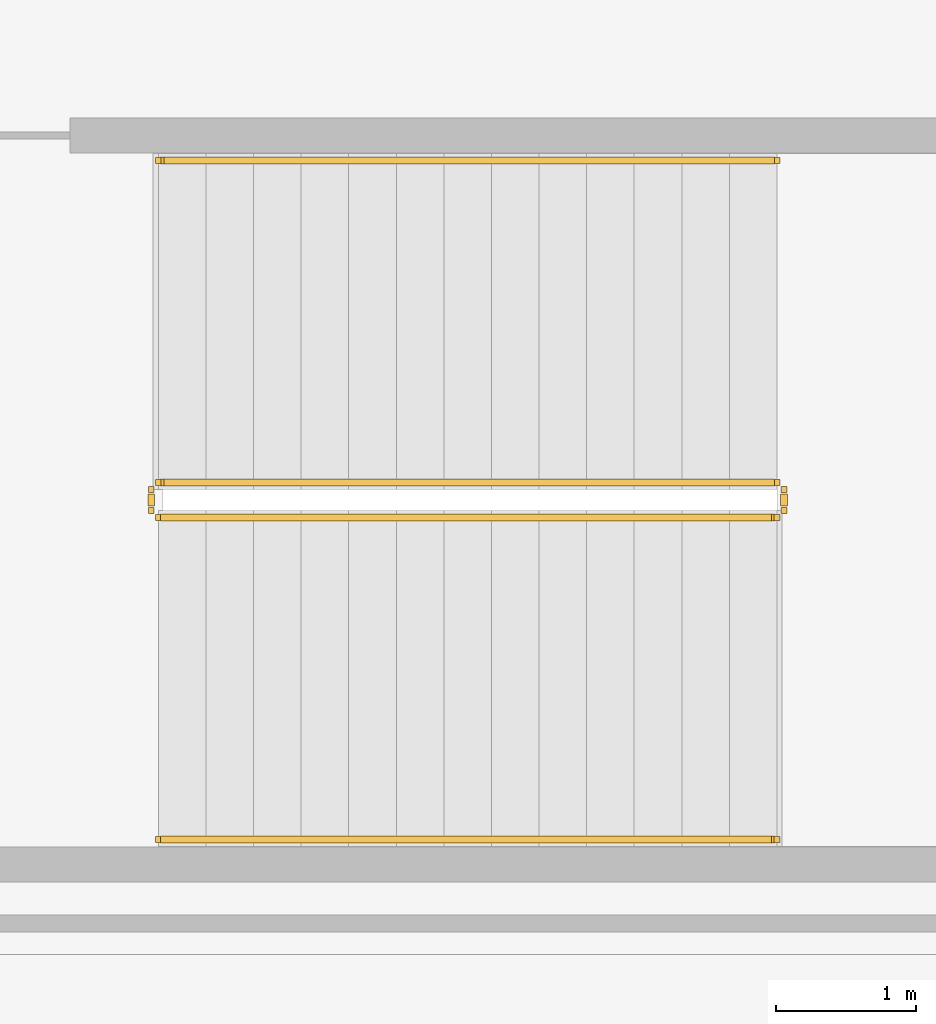
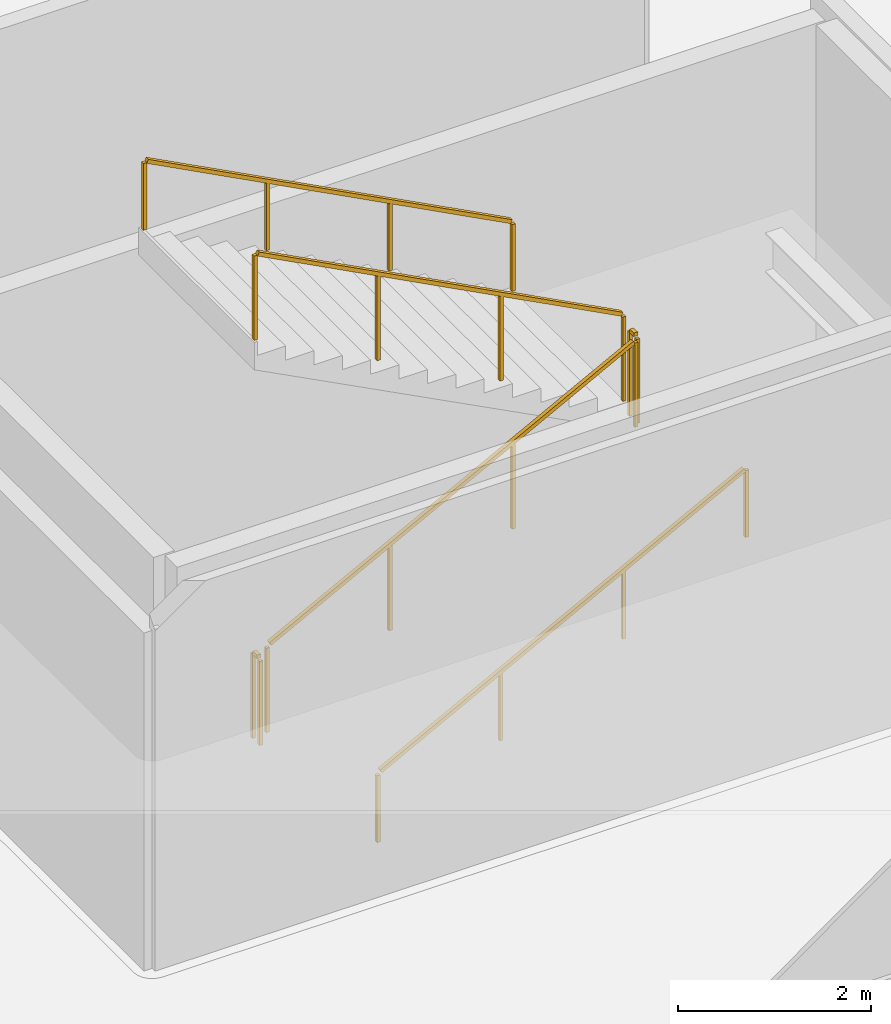
# One storey, part 18 of 24: 6 railings.
"""IFC4 building model written with IfcOpenShell, lengths in metres."""

from ifc_helpers import new_model, si_unit, direction, frame, origin, origin_2d, place, context, subcontext, project, spatial, rectangle, extrude, material, type_object, element, save


model = new_model("IFC4")

# Units and contexts
model_context = context("Model", 3, precision=1e-05, world=origin(), true_north=direction((0.0, 1.0)))
body_context = subcontext(model_context, "Body", "Model", "MODEL_VIEW")
ifc_project = project(units=[si_unit("LENGTHUNIT", "METRE"), si_unit("AREAUNIT", "SQUARE_METRE"), si_unit("VOLUMEUNIT", "CUBIC_METRE"), si_unit("PLANEANGLEUNIT", "RADIAN"), si_unit("MASSUNIT", "GRAM", prefix="KILO")], contexts=[model_context])

# Site, building, storey
site_placement = place(None, origin())
site = spatial("IfcSite", under=ifc_project, at=site_placement, CompositionType="ELEMENT")
building_placement = place(site_placement, origin())
building = spatial("IfcBuilding", under=site, at=building_placement, Name="Tharavind Bronze Gate", CompositionType="ELEMENT")
storey_placement = place(building_placement, frame((0.0, 0.0, 21.5)))
storey = spatial("IfcBuildingStorey", under=building, at=storey_placement, Name="L04", CompositionType="ELEMENT", Elevation=21.5)

# Railings
ifc_material = material(Name="Brushed Bronze Alloy", Category="metal")
railing_type_1 = type_object("IfcRailingType", Name="STAIR BRONZE HANDRAIL 900", PredefinedType="HANDRAIL", material=ifc_material)
railing_1_placement = place(storey_placement, frame((-26.0, -21.35009765625, 0.178466796875)))
element("IfcRailing", 1, at=railing_1_placement, inside=storey, type_object=railing_type_1, Name="L04 ST3 stair handrail 1", PredefinedType="HANDRAIL", context=body_context, shape_type="SweptSolid", body=[
    extrude(rectangle(XDim=0.048095703125, YDim=0.048095703125, at=origin_2d()), frame((0.0283203125, 0.0, 0.890625), z_axis=(0.885309332511, 0.0, 0.465002565336), x_axis=(0.0, 1.0, 0.0)), (0.0, 0.0, 1.0), 4.928466796875),
    extrude(rectangle(XDim=0.0400390625, YDim=0.0400390625, at=origin_2d()), origin(), (0.0, 0.0, 1.0), 0.847900390625),
    extrude(rectangle(XDim=0.0400390625, YDim=0.0400390625, at=origin_2d()), frame((1.473388671875, 0.0, 0.77392578125)), (0.0, 0.0, 1.0), 0.847900390625),
    extrude(rectangle(XDim=0.0400390625, YDim=0.0400390625, at=origin_2d()), frame((2.946533203125, 0.0, 1.547607421875)), (0.0, 0.0, 1.0), 0.847900390625),
    extrude(rectangle(XDim=0.0400390625, YDim=0.0400390625, at=origin_2d()), frame((4.419921875, 0.0, 2.321533203125)), (0.0, 0.0, 1.0), 0.847900390625),
])
railing_2_placement = place(storey_placement, frame((-21.580078125, -16.5, 2.678466796875)))
element("IfcRailing", 2, at=railing_2_placement, inside=storey, type_object=railing_type_1, Name="L04 ST3 stair handrail 2", PredefinedType="HANDRAIL", context=body_context, shape_type="SweptSolid", body=[
    extrude(rectangle(XDim=0.048095703125, YDim=0.048095703125, at=origin_2d()), frame((-0.0283203125, 0.0, 0.890625), z_axis=(-0.885309332511, 0.0, 0.465002565336), x_axis=(0.0, -1.0, 0.0)), (0.0, 0.0, 1.0), 4.928466796875),
    extrude(rectangle(XDim=0.0400390625, YDim=0.0400390625, at=origin_2d()), origin(), (0.0, 0.0, 1.0), 0.847900390625),
    extrude(rectangle(XDim=0.0400390625, YDim=0.0400390625, at=origin_2d()), frame((-1.473388671875, 0.0, 0.77392578125)), (0.0, 0.0, 1.0), 0.847900390625),
    extrude(rectangle(XDim=0.0400390625, YDim=0.0400390625, at=origin_2d()), frame((-2.946533203125, 0.0, 1.547607421875)), (0.0, 0.0, 1.0), 0.847900390625),
    extrude(rectangle(XDim=0.0400390625, YDim=0.0400390625, at=origin_2d()), frame((-4.419921875, 0.0, 2.321533203125)), (0.0, 0.0, 1.0), 0.847900390625),
])
railing_type_2 = type_object("IfcRailingType", Name="STAIR WELL GUARD RAILING 1120", PredefinedType="GUARDRAIL", material=ifc_material)
railing_3_placement = place(storey_placement, frame((-26.0, -19.050048828125, 0.178466796875)))
element("IfcRailing", 3, at=railing_3_placement, inside=storey, type_object=railing_type_2, Name="L04 ST3 stair guard 1", PredefinedType="GUARDRAIL", context=body_context, shape_type="SweptSolid", body=[
    extrude(rectangle(XDim=0.048095703125, YDim=0.048095703125, at=origin_2d()), frame((0.0283203125, 0.0, 1.11083984375), z_axis=(0.885309332511, 0.0, 0.465002565336), x_axis=(0.0, 1.0, 0.0)), (0.0, 0.0, 1.0), 4.928466796875),
    extrude(rectangle(XDim=0.0400390625, YDim=0.0400390625, at=origin_2d()), origin(), (0.0, 0.0, 1.0), 1.068115234375),
    extrude(rectangle(XDim=0.0400390625, YDim=0.0400390625, at=origin_2d()), frame((1.473388671875, 0.0, 0.77392578125)), (0.0, 0.0, 1.0), 1.068115234375),
    extrude(rectangle(XDim=0.0400390625, YDim=0.0400390625, at=origin_2d()), frame((2.946533203125, 0.0, 1.547607421875)), (0.0, 0.0, 1.0), 1.068115234375),
    extrude(rectangle(XDim=0.0400390625, YDim=0.0400390625, at=origin_2d()), frame((4.419921875, 0.0, 2.321533203125)), (0.0, 0.0, 1.0), 1.068115234375),
])
railing_4_placement = place(storey_placement, frame((-21.530029296875, -19.0, 2.5)))
element("IfcRailing", 4, at=railing_4_placement, inside=storey, type_object=railing_type_2, Name="L04 ST3 stair guard 2", PredefinedType="GUARDRAIL", context=body_context, shape_type="SweptSolid", body=[
    extrude(rectangle(XDim=0.048095703125, YDim=0.048095703125, at=origin_2d()), frame((0.0, 0.031982421875, 1.09619140625), z_axis=(0.0, 1.0, 0.0), x_axis=(-1.0, 0.0, 0.0)), (0.0, 0.0, 1.0), 0.0859375),
    extrude(rectangle(XDim=0.0400390625, YDim=0.0400390625, at=origin_2d()), origin(), (0.0, 0.0, 1.0), 1.068115234375),
    extrude(rectangle(XDim=0.0400390625, YDim=0.0400390625, at=origin_2d()), frame((0.0, 0.14990234375, 0.0)), (0.0, 0.0, 1.0), 1.068115234375),
])
railing_5_placement = place(storey_placement, frame((-21.580078125, -18.800048828125, 2.678466796875)))
element("IfcRailing", 5, at=railing_5_placement, inside=storey, type_object=railing_type_2, Name="L04 ST3 stair guard 3", PredefinedType="GUARDRAIL", context=body_context, shape_type="SweptSolid", body=[
    extrude(rectangle(XDim=0.048095703125, YDim=0.048095703125, at=origin_2d()), frame((-0.0283203125, 0.0, 1.11083984375), z_axis=(-0.885309332511, 0.0, 0.465002565336), x_axis=(0.0, -1.0, 0.0)), (0.0, 0.0, 1.0), 4.928466796875),
    extrude(rectangle(XDim=0.0400390625, YDim=0.0400390625, at=origin_2d()), origin(), (0.0, 0.0, 1.0), 1.068115234375),
    extrude(rectangle(XDim=0.0400390625, YDim=0.0400390625, at=origin_2d()), frame((-1.473388671875, 0.0, 0.77392578125)), (0.0, 0.0, 1.0), 1.068115234375),
    extrude(rectangle(XDim=0.0400390625, YDim=0.0400390625, at=origin_2d()), frame((-2.946533203125, 0.0, 1.547607421875)), (0.0, 0.0, 1.0), 1.068115234375),
    extrude(rectangle(XDim=0.0400390625, YDim=0.0400390625, at=origin_2d()), frame((-4.419921875, 0.0, 2.321533203125)), (0.0, 0.0, 1.0), 1.068115234375),
])
railing_6_placement = place(storey_placement, frame((-26.050048828125, -19.0, 0.0)))
element("IfcRailing", 6, at=railing_6_placement, inside=storey, type_object=railing_type_2, Name="L04 ST3 stair guard 4", PredefinedType="GUARDRAIL", context=body_context, shape_type="SweptSolid", body=[
    extrude(rectangle(XDim=0.048095703125, YDim=0.048095703125, at=origin_2d()), frame((0.0, 0.031982421875, 1.09619140625), z_axis=(0.0, 1.0, 0.0), x_axis=(-1.0, 0.0, 0.0)), (0.0, 0.0, 1.0), 0.0859375),
    extrude(rectangle(XDim=0.0400390625, YDim=0.0400390625, at=origin_2d()), origin(), (0.0, 0.0, 1.0), 1.068115234375),
    extrude(rectangle(XDim=0.0400390625, YDim=0.0400390625, at=origin_2d()), frame((0.0, 0.14990234375, 0.0)), (0.0, 0.0, 1.0), 1.068115234375),
])

save(model, "model.ifc")
